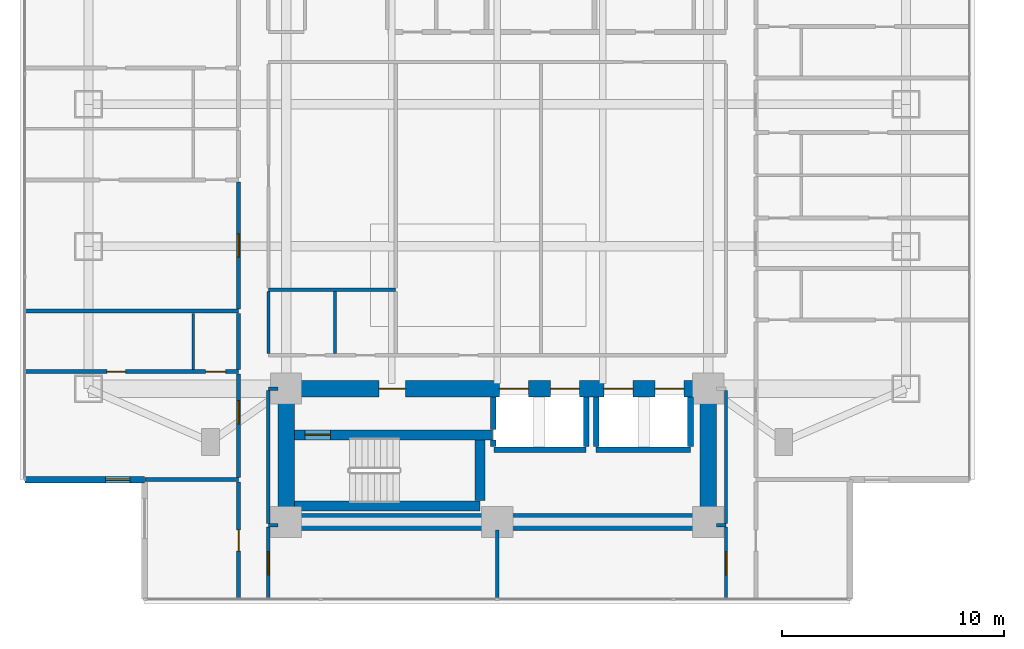
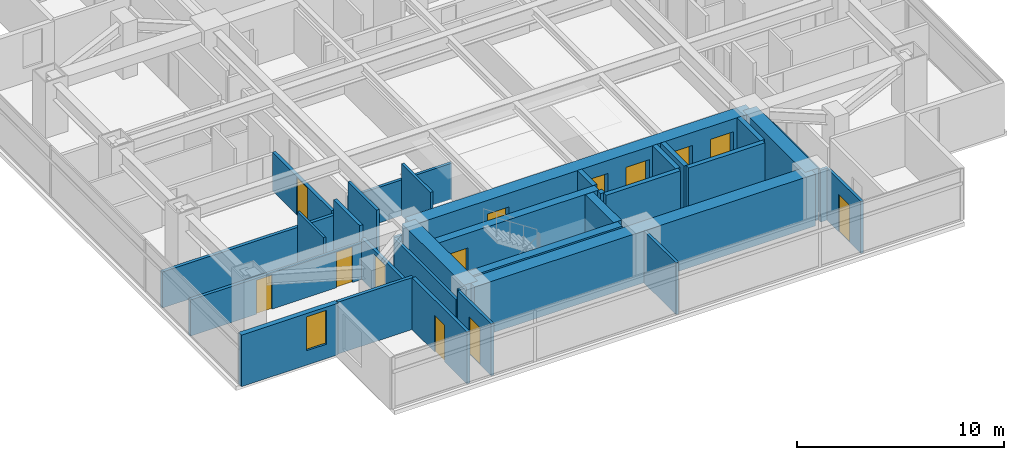
# One storey, part 12 of 26: 34 walls, 13 doors, 1 window, 14 openings.
"""IFC4 building model written with IfcOpenShell, lengths in metres."""

import ifcopenshell
import ifcopenshell.guid

model = None  # the IFC model being written
_history = None  # IfcOwnerHistory: only IFC2X3 demands one
_inside = {}  # id of a spatial element -> (the spatial element, [elements in it])
_under = {}  # id of a project, library or spatial element -> (it, [spatial elements below it])
_declared = {}  # id of a project -> (the project, [libraries it declares])
_typed = {}  # id of a type object -> (the type object, [elements of that type])
_made_of = {}  # id of a material, layer set ... -> (it, [elements and type objects made of it])


def new_model(schema):
    """Start an empty IFC model of exactly this schema.

    Asked for "IFC4X3", IfcOpenShell would pick the latest addendum, in which some entities
    have other attributes; the version numbers below select the first issue.
    IFC2X3 requires an IfcOwnerHistory on every rooted entity: one is made here for all.
    """
    global model, _history
    if schema == "IFC4X3":
        model = ifcopenshell.file(schema_version=(4, 3, 0, 0))
    else:
        model = ifcopenshell.file(schema=schema)
    _inside.clear()
    _under.clear()
    _declared.clear()
    _typed.clear()
    _made_of.clear()
    _history = None
    if model.schema == "IFC2X3":
        org = make("IfcOrganization", Name="unknown")
        user = make(
            "IfcPersonAndOrganization",
            ThePerson=make("IfcPerson", FamilyName="unknown"),
            TheOrganization=org,
        )
        app = make(
            "IfcApplication",
            ApplicationDeveloper=org,
            Version="unknown",
            ApplicationFullName="unknown",
            ApplicationIdentifier="unknown",
        )
        _history = make(
            "IfcOwnerHistory",
            OwningUser=user,
            OwningApplication=app,
            ChangeAction="ADDED",
            CreationDate=0,
        )
    return model


def make(cls, **values):
    """One entity of the class cls with the attributes given. An attribute that is None is left unset."""
    return model.create_entity(
        cls, **{name: value for name, value in values.items() if value is not None}
    )


def rooted(cls, **values):
    """An entity with a GlobalId (a new one), such as an element, a storey or a relation."""
    return make(cls, GlobalId=ifcopenshell.guid.new(), OwnerHistory=_history, **values)


def si_unit(unit_type, name, prefix=None):
    """IfcSIUnit, for example si_unit("LENGTHUNIT", "METRE", prefix="MILLI")."""
    return make("IfcSIUnit", UnitType=unit_type, Prefix=prefix, Name=name)


def assignment(units):
    """IfcUnitAssignment: the units of a project."""
    return None if units is None else make("IfcUnitAssignment", Units=units)


def point(xyz):
    """IfcCartesianPoint."""
    return None if xyz is None else make("IfcCartesianPoint", Coordinates=xyz)


def direction(xyz):
    """IfcDirection."""
    return None if xyz is None else make("IfcDirection", DirectionRatios=xyz)


def frame(location, z_axis=None, x_axis=None):
    """IfcAxis2Placement3D, a coordinate frame: its origin and axes. An axis left out is left unset."""
    return make(
        "IfcAxis2Placement3D",
        Location=point(location),
        Axis=direction(z_axis),
        RefDirection=direction(x_axis),
    )


def frame_2d(location, x_axis=None):
    """IfcAxis2Placement2D, a coordinate frame in the plane: its origin and x axis."""
    return make(
        "IfcAxis2Placement2D", Location=point(location), RefDirection=direction(x_axis)
    )


def origin():
    """The frame at (0, 0, 0) with its axes left unset."""
    return frame((0.0, 0.0, 0.0))


def place(relative_to, where):
    """IfcLocalPlacement: puts the frame where relative to a parent placement (None: the world)."""
    return make(
        "IfcLocalPlacement", PlacementRelTo=relative_to, RelativePlacement=where
    )


def context(
    kind, dimensions, precision=None, world=None, true_north=None, identifier=None
):
    """IfcGeometricRepresentationContext, for example the 3D "Model" context."""
    return make(
        "IfcGeometricRepresentationContext",
        ContextIdentifier=identifier,
        ContextType=kind,
        CoordinateSpaceDimension=dimensions,
        Precision=precision,
        WorldCoordinateSystem=world,
        TrueNorth=true_north,
    )


def subcontext(parent, identifier, kind, view, scale=None):
    """IfcGeometricRepresentationSubContext, for example "Body" below "Model"."""
    return make(
        "IfcGeometricRepresentationSubContext",
        ContextIdentifier=identifier,
        ContextType=kind,
        ParentContext=parent,
        TargetScale=scale,
        TargetView=view,
    )


def project(units=None, contexts=None):
    """IfcProject with its units and contexts."""
    return rooted(
        "IfcProject",
        Name="project",
        RepresentationContexts=contexts,
        UnitsInContext=assignment(units),
    )


def spatial(cls, under=None, at=None, **own):
    """A site, building, storey or space (cls), placed at a placement, below another one or the project."""
    s = rooted(cls, ObjectPlacement=at, **own)
    if under is not None:
        _under.setdefault(under.id(), (under, []))[1].append(s)
    return s


def profile(cls, at=None, kind="AREA", **sizes):
    """A parametric profile (cls). Its sizes go by their IFC names, for example OverallWidth=200.0."""
    return make(cls, ProfileType=kind, Position=at, **sizes)


def rectangle(**sizes):
    """IfcRectangleProfileDef."""
    return profile("IfcRectangleProfileDef", **sizes)


def extrude(swept, where, along, depth):
    """IfcExtrudedAreaSolid: the profile swept, set in the frame where, extruded along a direction by depth."""
    return make(
        "IfcExtrudedAreaSolid",
        SweptArea=swept,
        Position=where,
        ExtrudedDirection=direction(along),
        Depth=depth,
    )


def shape(context_of_items, identifier, shape_type, items):
    """IfcShapeRepresentation: the items that make up one representation, for example the "Body"."""
    return make(
        "IfcShapeRepresentation",
        ContextOfItems=context_of_items,
        RepresentationIdentifier=identifier,
        RepresentationType=shape_type,
        Items=items,
    )


def material(Name=None, Category=None):
    """IfcMaterial."""
    return make("IfcMaterial", Name=Name, Category=Category)


def layer(
    of_material, thickness, ventilated=None, Name=None, Category=None, Priority=None
):
    """IfcMaterialLayer: one layer of a wall or slab, of a material (None: an air gap)."""
    return make(
        "IfcMaterialLayer",
        Material=of_material,
        LayerThickness=thickness,
        IsVentilated=ventilated,
        Name=Name,
        Category=Category,
        Priority=Priority,
    )


def layer_set(layers, Name=None):
    """IfcMaterialLayerSet."""
    return make("IfcMaterialLayerSet", MaterialLayers=layers, LayerSetName=Name)


def made_of(thing, what):
    """Note that an element or type object is made of a material, layer set ...; save() writes the relation."""
    if what is not None:
        _made_of.setdefault(what.id(), (what, []))[1].append(thing)
    return thing


def type_object(cls, material=None, **own):
    """A type object (cls), such as IfcWallType, which elements share."""
    return made_of(rooted(cls, **own), material)


def element(
    cls,
    number,
    at=None,
    inside=None,
    cuts=None,
    type_object=None,
    material=None,
    context=None,
    identifier="Body",
    shape_type=None,
    held_by="IfcProductDefinitionShape",
    body=None,
    shapes=None,
    **own,
):
    """One element of the class cls, such as IfcWall. Its Tag is "e" and its number.

    at: its placement. inside: the storey or other place that contains it. cuts: it is an
    opening in that element (IfcRelVoidsElement). A single representation is given by context,
    identifier, shape_type and body (its items); several are given by shapes. held_by: the class
    of the entity that holds the representations. save() writes the other relations.
    """
    e = rooted(cls, Tag="e%d" % number, ObjectPlacement=at, **own)
    if body is not None:
        shapes = [shape(context, identifier, shape_type, body)]
    if shapes is not None:
        e.Representation = make(held_by, Representations=shapes)
    if inside is not None:
        _inside.setdefault(inside.id(), (inside, []))[1].append(e)
    if cuts is not None:
        rooted(
            "IfcRelVoidsElement", RelatingBuildingElement=cuts, RelatedOpeningElement=e
        )
    if type_object is not None:
        _typed.setdefault(type_object.id(), (type_object, []))[1].append(e)
    return made_of(e, material)


def fill(opening, filler):
    """IfcRelFillsElement: the door or window that sits in an opening."""
    return rooted(
        "IfcRelFillsElement",
        RelatingOpeningElement=opening,
        RelatedBuildingElement=filler,
    )


def aggregate(whole, parts):
    """IfcRelAggregates: a whole, such as a stair, and the parts it consists of."""
    return rooted("IfcRelAggregates", RelatingObject=whole, RelatedObjects=parts)


def save(model, path):
    """Write the relations noted so far, then the file.

    IfcRelAggregates (storeys below a building ...), IfcRelContainedInSpatialStructure (elements
    in a storey), IfcRelDefinesByType, IfcRelAssociatesMaterial and IfcRelDeclares: one each for
    every whole, place, type object, material and project.
    """
    for whole, parts in _under.values():
        aggregate(whole, parts)
    for where, things in _inside.values():
        rooted(
            "IfcRelContainedInSpatialStructure",
            RelatedElements=things,
            RelatingStructure=where,
        )
    for kind, things in _typed.values():
        rooted("IfcRelDefinesByType", RelatedObjects=things, RelatingType=kind)
    for what, things in _made_of.values():
        rooted("IfcRelAssociatesMaterial", RelatedObjects=things, RelatingMaterial=what)
    for by, libraries in _declared.values():
        rooted("IfcRelDeclares", RelatingContext=by, RelatedDefinitions=libraries)
    model.write(path)


model = new_model("IFC4")

# Units and contexts
model_context = context("Model", 3, precision=1e-05, world=origin(), true_north=direction((0.0, 1.0)))
body_context = subcontext(model_context, "Body", "Model", "MODEL_VIEW")
ifc_project = project(units=[si_unit("LENGTHUNIT", "METRE"), si_unit("AREAUNIT", "SQUARE_METRE"), si_unit("VOLUMEUNIT", "CUBIC_METRE"), si_unit("PLANEANGLEUNIT", "RADIAN"), si_unit("MASSUNIT", "GRAM", prefix="KILO")], contexts=[model_context])

# Site, building, storey
site_placement = place(None, origin())
site = spatial("IfcSite", under=ifc_project, at=site_placement, CompositionType="ELEMENT")
building_placement = place(site_placement, origin())
building = spatial("IfcBuilding", under=site, at=building_placement, Name="Mirazonda Arch Towers", CompositionType="ELEMENT")
storey_placement = place(building_placement, frame((0.0, 0.0, 25.699951171875)))
storey = spatial("IfcBuildingStorey", under=building, at=storey_placement, Name="L06", CompositionType="ELEMENT", Elevation=25.699951171875)

# Wall
ifc_material_1 = material(Name="Concrete C50/60", Category="concrete")
ifc_layer_1 = layer(ifc_material_1, 0.449951171875, Name="WALL-CORE-450")
ifc_layer_set_1 = layer_set([ifc_layer_1], Name="Concrete C50/60")
wall_type_1 = type_object("IfcWallType", Name="WALL-CORE-450", PredefinedType="SHEAR", material=ifc_layer_set_1)
wall_1_placement = place(storey_placement, frame((11.3701171875, 13.1201171875, 0.0), z_axis=(0.0, 0.0, 1.0), x_axis=(1.0, 0.0, 0.0)))
element("IfcWall", 1, at=wall_1_placement, inside=storey, type_object=wall_type_1, Name="L06 Stair Core Shear Wall 003", PredefinedType="SHEAR", context=body_context, shape_type="SweptSolid", body=[
    extrude(rectangle(XDim=8.35986328125, YDim=0.449951171875, at=frame_2d((4.179931640625, 0.0))), origin(), (0.0, 0.0, 1.0), 3.06005859375),
])

# Wall, opening, door
wall_2_placement = place(storey_placement, frame((11.3701171875, 16.320068359375, 0.0), z_axis=(0.0, 0.0, 1.0), x_axis=(1.0, 0.0, 0.0)))
wall_2 = element("IfcWall", 2, at=wall_2_placement, inside=storey, type_object=wall_type_1, Name="L06 Stair Core Shear Wall 008", PredefinedType="SHEAR", context=body_context, shape_type="SweptSolid", body=[
    extrude(rectangle(XDim=8.909912109375, YDim=0.449951171875, at=frame_2d((4.455078125, 0.0))), origin(), (0.0, 0.0, 1.0), 3.06005859375),
])
opening_1_placement = place(wall_2_placement, frame((0.469970703125, 0.0, 0.0)))
opening_1 = element("IfcOpeningElement", 3, at=opening_1_placement, cuts=wall_2, Name="Opening DR-135", PredefinedType="OPENING", context=body_context, shape_type="SweptSolid", body=[
    extrude(rectangle(XDim=1.14990234375, YDim=2.199951171875, at=frame_2d((0.574951171875, 1.10009765625))), frame((0.0, 0.23486328125, 0.0), z_axis=(0.0, -1.0, 0.0), x_axis=(1.0, 0.0, 0.0)), (0.0, 0.0, 1.0), 0.469970703125),
])
ifc_material_2 = material(Name="Architectural Brushed Steel S355", Category="steel")
door_type_1 = type_object("IfcDoorType", Name="DOOR-STAIR-FD90-1150", OperationType="NOTDEFINED", PredefinedType="DOOR", material=ifc_material_2)
door_1_placement = place(opening_1_placement, origin())
door_1 = element("IfcDoor", 4, at=door_1_placement, inside=storey, type_object=door_type_1, Name="L06 Protected Exit Stair South Door", OperationType="SINGLE_SWING_LEFT", OverallHeight=2.199951171875, OverallWidth=1.14990234375, PredefinedType="DOOR", context=body_context, shape_type="SweptSolid", body=[
    extrude(rectangle(XDim=1.14990234375, YDim=2.199951171875, at=frame_2d((0.574951171875, 1.10009765625))), frame((0.0, 0.02490234375, 0.0), z_axis=(0.0, -1.0, 0.0), x_axis=(1.0, 0.0, 0.0)), (0.0, 0.0, 1.0), 0.050048828125),
])
fill(opening_1, door_1)

# Walls
wall_3_placement = place(storey_placement, frame((19.72998046875, 13.35498046875, 0.0), z_axis=(0.0, 0.0, 1.0), x_axis=(0.0, 1.0, 0.0)))
element("IfcWall", 5, at=wall_3_placement, inside=storey, type_object=wall_type_1, Name="L06 Stair Core Shear Wall 086", PredefinedType="SHEAR", context=body_context, shape_type="SweptSolid", body=[
    extrude(rectangle(XDim=2.72998046875, YDim=0.449951171875, at=frame_2d((1.364990234375, 0.0))), origin(), (0.0, 0.0, 1.0), 3.06005859375),
])
ifc_material_3 = material(Name="Concrete C60/75", Category="concrete")
ifc_layer_2 = layer(ifc_material_3, 0.75, Name="WALL-CORE-750")
ifc_layer_set_2 = layer_set([ifc_layer_2], Name="Concrete C60/75")
wall_type_2 = type_object("IfcWallType", Name="WALL-CORE-750", PredefinedType="SHEAR", material=ifc_layer_set_2)
wall_4_placement = place(storey_placement, frame((11.0, 12.39990234375, 0.0), z_axis=(0.0, 0.0, 1.0), x_axis=(1.0, 0.0, 0.0)))
element("IfcWall", 6, at=wall_4_placement, inside=storey, type_object=wall_type_2, Name="L06 T1S-S Core Shear Wall", PredefinedType="SHEAR", context=body_context, shape_type="SweptSolid", body=[
    extrude(rectangle(XDim=19.0, YDim=0.75, at=frame_2d((9.5, 0.0))), origin(), (0.0, 0.0, 1.0), 3.06005859375),
])
for number, where, z_axis, x_axis, name in (
    (7, (11.0, 12.39990234375, 0.0), (0.0, 0.0, 1.0), (0.0, 1.0, 0.0), "L06 T1S-W Core Shear Wall"),
    (8, (30.0, 12.39990234375, 0.0), (0.0, 0.0, 1.0), (0.0, 1.0, 0.0), "L06 T1S-E Core Shear Wall"),
):
    element("IfcWall", number, at=place(storey_placement, frame(where, z_axis=z_axis, x_axis=x_axis)), inside=storey, type_object=wall_type_2, Name=name, PredefinedType="SHEAR", context=body_context, shape_type="SweptSolid", body=[
        extrude(rectangle(XDim=6.0, YDim=0.75, at=frame_2d((3.0, 0.0))), origin(), (0.0, 0.0, 1.0), 3.06005859375),
    ])

# Wall, openings, doors
wall_5_placement = place(storey_placement, frame((11.0, 18.39990234375, 0.0), z_axis=(0.0, 0.0, 1.0), x_axis=(1.0, 0.0, 0.0)))
wall_5 = element("IfcWall", 9, at=wall_5_placement, inside=storey, type_object=wall_type_2, Name="L06 T1S-N Core Shear Wall", PredefinedType="SHEAR", context=body_context, shape_type="SweptSolid", body=[
    extrude(rectangle(XDim=19.0, YDim=0.75, at=frame_2d((9.5, 0.0))), origin(), (0.0, 0.0, 1.0), 3.06005859375),
])
opening_2_placement = place(wall_5_placement, frame((4.175048828125, 0.0, 0.0)))
opening_2 = element("IfcOpeningElement", 10, at=opening_2_placement, cuts=wall_5, Name="Opening DR-117", PredefinedType="OPENING", context=body_context, shape_type="SweptSolid", body=[
    extrude(rectangle(XDim=1.199951171875, YDim=2.25, at=frame_2d((0.60009765625, 1.125))), frame((0.0, 0.385009765625, 0.0), z_axis=(0.0, -1.0, 0.0), x_axis=(1.0, 0.0, 0.0)), (0.0, 0.0, 1.0), 0.77001953125),
])
opening_3_placement = place(wall_5_placement, frame((9.60009765625, 0.0, 0.0)))
opening_3 = element("IfcOpeningElement", 11, at=opening_3_placement, cuts=wall_5, Name="Opening LD-111", PredefinedType="OPENING", context=body_context, shape_type="SweptSolid", body=[
    extrude(rectangle(XDim=1.300048828125, YDim=2.300048828125, at=frame_2d((0.64990234375, 1.14990234375))), frame((0.0, 0.385009765625, 0.0), z_axis=(0.0, -1.0, 0.0), x_axis=(1.0, 0.0, 0.0)), (0.0, 0.0, 1.0), 0.77001953125),
])
opening_4_placement = place(wall_5_placement, frame((11.89990234375, 0.0, 0.0)))
opening_4 = element("IfcOpeningElement", 12, at=opening_4_placement, cuts=wall_5, Name="Opening LD-111", PredefinedType="OPENING", context=body_context, shape_type="SweptSolid", body=[
    extrude(rectangle(XDim=1.300048828125, YDim=2.300048828125, at=frame_2d((0.64990234375, 1.14990234375))), frame((0.0, 0.385009765625, 0.0), z_axis=(0.0, -1.0, 0.0), x_axis=(1.0, 0.0, 0.0)), (0.0, 0.0, 1.0), 0.77001953125),
])
opening_5_placement = place(wall_5_placement, frame((14.300048828125, 0.0, 0.0)))
opening_5 = element("IfcOpeningElement", 13, at=opening_5_placement, cuts=wall_5, Name="Opening LD-111", PredefinedType="OPENING", context=body_context, shape_type="SweptSolid", body=[
    extrude(rectangle(XDim=1.300048828125, YDim=2.300048828125, at=frame_2d((0.64990234375, 1.14990234375))), frame((0.0, 0.385009765625, 0.0), z_axis=(0.0, -1.0, 0.0), x_axis=(1.0, 0.0, 0.0)), (0.0, 0.0, 1.0), 0.77001953125),
])
opening_6_placement = place(wall_5_placement, frame((16.60009765625, 0.0, 0.0)))
opening_6 = element("IfcOpeningElement", 14, at=opening_6_placement, cuts=wall_5, Name="Opening LD-111", PredefinedType="OPENING", context=body_context, shape_type="SweptSolid", body=[
    extrude(rectangle(XDim=1.300048828125, YDim=2.300048828125, at=frame_2d((0.64990234375, 1.14990234375))), frame((0.0, 0.385009765625, 0.0), z_axis=(0.0, -1.0, 0.0), x_axis=(1.0, 0.0, 0.0)), (0.0, 0.0, 1.0), 0.77001953125),
])
door_type_2 = type_object("IfcDoorType", Name="DOOR-FFL-FD90-1200", OperationType="NOTDEFINED", PredefinedType="DOOR", material=ifc_material_2)
door_2_placement = place(opening_2_placement, origin())
door_2 = element("IfcDoor", 15, at=door_2_placement, inside=storey, type_object=door_type_2, Name="L06 South Core Stair & Lift Lobby Door", OperationType="SINGLE_SWING_RIGHT", OverallHeight=2.25, OverallWidth=1.199951171875, PredefinedType="DOOR", context=body_context, shape_type="SweptSolid", body=[
    extrude(rectangle(XDim=1.199951171875, YDim=2.25, at=frame_2d((0.60009765625, 1.125))), frame((0.0, 0.02490234375, 0.0), z_axis=(0.0, -1.0, 0.0), x_axis=(1.0, 0.0, 0.0)), (0.0, 0.0, 1.0), 0.050048828125),
])
fill(opening_2, door_2)
door_type_3 = type_object("IfcDoorType", Name="DOOR-LIFT-LAND-1300", OperationType="NOTDEFINED", PredefinedType="DOOR", material=ifc_material_2)
door_3_placement = place(opening_3_placement, origin())
door_3 = element("IfcDoor", 16, at=door_3_placement, inside=storey, type_object=door_type_3, Name="L06 Lift Landing Sliding Door PL-T1M1", OperationType="DOUBLE_DOOR_SLIDING", OverallHeight=2.300048828125, OverallWidth=1.300048828125, PredefinedType="DOOR", context=body_context, shape_type="SweptSolid", body=[
    extrude(rectangle(XDim=1.300048828125, YDim=2.300048828125, at=frame_2d((0.64990234375, 1.14990234375))), frame((0.0, 0.02490234375, 0.0), z_axis=(0.0, -1.0, 0.0), x_axis=(1.0, 0.0, 0.0)), (0.0, 0.0, 1.0), 0.050048828125),
])
fill(opening_3, door_3)
door_4_placement = place(opening_4_placement, origin())
door_4 = element("IfcDoor", 17, at=door_4_placement, inside=storey, type_object=door_type_3, Name="L06 Lift Landing Sliding Door PL-T1M2", OperationType="DOUBLE_DOOR_SLIDING", OverallHeight=2.300048828125, OverallWidth=1.300048828125, PredefinedType="DOOR", context=body_context, shape_type="SweptSolid", body=[
    extrude(rectangle(XDim=1.300048828125, YDim=2.300048828125, at=frame_2d((0.64990234375, 1.14990234375))), frame((0.0, 0.02490234375, 0.0), z_axis=(0.0, -1.0, 0.0), x_axis=(1.0, 0.0, 0.0)), (0.0, 0.0, 1.0), 0.050048828125),
])
fill(opening_4, door_4)
door_5_placement = place(opening_5_placement, origin())
door_5 = element("IfcDoor", 18, at=door_5_placement, inside=storey, type_object=door_type_3, Name="L06 Lift Landing Sliding Door PL-T1H1", OperationType="DOUBLE_DOOR_SLIDING", OverallHeight=2.300048828125, OverallWidth=1.300048828125, PredefinedType="DOOR", context=body_context, shape_type="SweptSolid", body=[
    extrude(rectangle(XDim=1.300048828125, YDim=2.300048828125, at=frame_2d((0.64990234375, 1.14990234375))), frame((0.0, 0.02490234375, 0.0), z_axis=(0.0, -1.0, 0.0), x_axis=(1.0, 0.0, 0.0)), (0.0, 0.0, 1.0), 0.050048828125),
])
fill(opening_5, door_5)
door_6_placement = place(opening_6_placement, origin())
door_6 = element("IfcDoor", 19, at=door_6_placement, inside=storey, type_object=door_type_3, Name="L06 Lift Landing Sliding Door PL-T1H2", OperationType="DOUBLE_DOOR_SLIDING", OverallHeight=2.300048828125, OverallWidth=1.300048828125, PredefinedType="DOOR", context=body_context, shape_type="SweptSolid", body=[
    extrude(rectangle(XDim=1.300048828125, YDim=2.300048828125, at=frame_2d((0.64990234375, 1.14990234375))), frame((0.0, 0.02490234375, 0.0), z_axis=(0.0, -1.0, 0.0), x_axis=(1.0, 0.0, 0.0)), (0.0, 0.0, 1.0), 0.050048828125),
])
fill(opening_6, door_6)

# Wall, opening, window
ifc_material_4 = material(Name="Precast Concrete C40/50", Category="concrete")
ifc_layer_3 = layer(ifc_material_4, 0.280029296875, Name="WALL-EXT-WALL-280")
ifc_layer_set_3 = layer_set([ifc_layer_3], Name="Precast Concrete C40/50")
wall_type_3 = type_object("IfcWallType", Name="WALL-EXT-WALL-280", PredefinedType="SOLIDWALL", material=ifc_layer_set_3)
wall_6_placement = place(storey_placement, frame((-0.760009765625, 14.302001953125, 0.0), z_axis=(0.0, 0.0, 1.0), x_axis=(1.0, 0.0, 0.0)))
wall_6 = element("IfcWall", 20, at=wall_6_placement, inside=storey, type_object=wall_type_3, Name="L06 T1 Corner Notch Return Wall WL-L06-T1-CSW2", PredefinedType="SOLIDWALL", context=body_context, shape_type="SweptSolid", body=[
    extrude(rectangle(XDim=5.380126953125, YDim=0.280029296875, at=frame_2d((2.68994140625, 0.0))), origin(), (0.0, 0.0, 1.0), 3.0400390625),
])
opening_7_placement = place(wall_6_placement, frame((3.6298828125, 0.0, 0.85009765625)))
opening_7 = element("IfcOpeningElement", 21, at=opening_7_placement, cuts=wall_6, Name="Opening WN-108", PredefinedType="OPENING", context=body_context, shape_type="SweptSolid", body=[
    extrude(rectangle(XDim=1.10009765625, YDim=2.0, at=frame_2d((0.550048828125, 1.0))), frame((0.0, 0.14990234375, 0.0), z_axis=(0.0, -1.0, 0.0), x_axis=(1.0, 0.0, 0.0)), (0.0, 0.0, 1.0), 0.300048828125),
])
ifc_material_5 = material(Name="Insulated Low-E Solar Glass", Category="glass")
window_type = type_object("IfcWindowType", Name="WIN-NOTCH-1100x2000", PartitioningType="SINGLE_PANEL", PredefinedType="WINDOW", material=ifc_material_5)
window_placement = place(opening_7_placement, origin())
window = element("IfcWindow", 22, at=window_placement, inside=storey, type_object=window_type, Name="L06 Punched Facade Window WN-L06-T1-CSW2", OverallHeight=2.0, OverallWidth=1.10009765625, PartitioningType="SINGLE_PANEL", PredefinedType="WINDOW", context=body_context, shape_type="SweptSolid", body=[
    extrude(rectangle(XDim=1.10009765625, YDim=2.0, at=frame_2d((0.550048828125, 1.0))), frame((0.0, 0.030029296875, 0.0), z_axis=(0.0, -1.0, 0.0), x_axis=(1.0, 0.0, 0.0)), (0.0, 0.0, 1.0), 0.06005859375),
])
fill(opening_7, window)

# Walls
ifc_material_6 = material(Name="Fire-Rated Gypsum Stud Partition")
ifc_layer_4 = layer(ifc_material_6, 0.14990234375, Name="WALL-PART-CORR-150")
ifc_layer_set_4 = layer_set([ifc_layer_4], Name="Fire-Rated Gypsum Stud Partition")
wall_type_4 = type_object("IfcWallType", Name="WALL-PART-CORR-150", PredefinedType="PARTITIONING", material=ifc_layer_set_4)
for number, where, z_axis, x_axis, name in (
    (23, (10.199951171875, 12.25, 0.0), (0.0, 0.0, 1.0), (1.0, 0.0, 0.0), "L06 Interior Partition 001"),
    (24, (30.3701171875, 12.25, 0.0), (0.0, 0.0, 1.0), (1.0, 0.0, 0.0), "L06 Interior Partition 002"),
):
    element("IfcWall", number, at=place(storey_placement, frame(where, z_axis=z_axis, x_axis=x_axis)), inside=storey, type_object=wall_type_4, Name=name, PredefinedType="PARTITIONING", context=body_context, shape_type="SweptSolid", body=[
        extrude(rectangle(XDim=0.429931640625, YDim=0.14990234375, at=frame_2d((0.21484375, 0.0))), origin(), (0.0, 0.0, 1.0), 3.06005859375),
    ])
wall_7_placement = place(storey_placement, frame((10.199951171875, 18.39990234375, 0.0), z_axis=(0.0, 0.0, 1.0), x_axis=(1.0, 0.0, 0.0)))
element("IfcWall", 25, at=wall_7_placement, inside=storey, type_object=wall_type_4, Name="L06 Interior Partition 012", PredefinedType="PARTITIONING", context=body_context, shape_type="SweptSolid", body=[
    extrude(rectangle(XDim=0.429931640625, YDim=0.14990234375, at=frame_2d((0.21484375, 0.0))), origin(), (0.0, 0.0, 1.0), 2.43603515625),
])
wall_8_placement = place(storey_placement, frame((10.199951171875, 22.85009765625, 0.0), z_axis=(0.0, 0.0, 1.0), x_axis=(1.0, 0.0, 0.0)))
element("IfcWall", 26, at=wall_8_placement, inside=storey, type_object=wall_type_4, Name="L06 Interior Partition 024", PredefinedType="PARTITIONING", context=body_context, shape_type="SweptSolid", body=[
    extrude(rectangle(XDim=5.72998046875, YDim=0.14990234375, at=frame_2d((2.864990234375, 0.0))), origin(), (0.0, 0.0, 1.0), 2.10400390625),
])

# Wall, opening, door
wall_9_placement = place(storey_placement, frame((10.199951171875, 8.922119140625, 0.0), z_axis=(0.0, 0.0, 1.0), x_axis=(0.0, 1.0, 0.0)))
wall_9 = element("IfcWall", 27, at=wall_9_placement, inside=storey, type_object=wall_type_4, Name="L06 Interior Partition 074", PredefinedType="PARTITIONING", context=body_context, shape_type="SweptSolid", body=[
    extrude(rectangle(XDim=3.242919921875, YDim=0.14990234375, at=frame_2d((1.62158203125, 0.0))), origin(), (0.0, 0.0, 1.0), 3.06005859375),
])
opening_8_placement = place(wall_9_placement, frame((1.096435546875, 0.0, 0.0)))
opening_8 = element("IfcOpeningElement", 28, at=opening_8_placement, cuts=wall_9, Name="Opening DR-121", PredefinedType="OPENING", context=body_context, shape_type="SweptSolid", body=[
    extrude(rectangle(XDim=1.050048828125, YDim=2.199951171875, at=frame_2d((0.52490234375, 1.10009765625))), frame((0.0, 0.0849609375, 0.0), z_axis=(0.0, -1.0, 0.0), x_axis=(1.0, 0.0, 0.0)), (0.0, 0.0, 1.0), 0.169921875),
])
door_type_4 = type_object("IfcDoorType", Name="DOOR-SUITE-FD60-1050", OperationType="NOTDEFINED", PredefinedType="DOOR", material=ifc_material_2)
door_7_placement = place(opening_8_placement, origin())
door_7 = element("IfcDoor", 29, at=door_7_placement, inside=storey, type_object=door_type_4, Name="L06 South Horizon Lounge West Door", OperationType="SINGLE_SWING_RIGHT", OverallHeight=2.199951171875, OverallWidth=1.050048828125, PredefinedType="DOOR", context=body_context, shape_type="SweptSolid", body=[
    extrude(rectangle(XDim=1.050048828125, YDim=2.199951171875, at=frame_2d((0.52490234375, 1.10009765625))), frame((0.0, 0.02490234375, 0.0), z_axis=(0.0, -1.0, 0.0), x_axis=(1.0, 0.0, 0.0)), (0.0, 0.0, 1.0), 0.050048828125),
])
fill(opening_8, door_7)

# Walls
wall_10_placement = place(storey_placement, frame((10.199951171875, 12.3349609375, 0.0), z_axis=(0.0, 0.0, 1.0), x_axis=(0.0, 1.0, 0.0)))
element("IfcWall", 30, at=wall_10_placement, inside=storey, type_object=wall_type_4, Name="L06 Interior Partition 075", PredefinedType="PARTITIONING", context=body_context, shape_type="SweptSolid", body=[
    extrude(rectangle(XDim=5.97998046875, YDim=0.14990234375, at=frame_2d((2.989990234375, 0.0))), origin(), (0.0, 0.0, 1.0), 2.43603515625),
])
for number, where, z_axis, x_axis, name in (
    (31, (10.206787109375, 19.985107421875, 0.0), (0.0, 0.0, 1.0), (0.0, 1.0, 0.0), "L06 Interior Partition 076"),
    (32, (13.199951171875, 19.985107421875, 0.0), (0.0, 0.0, 1.0), (0.0, 1.0, 0.0), "L06 Interior Partition 081"),
):
    element("IfcWall", number, at=place(storey_placement, frame(where, z_axis=z_axis, x_axis=x_axis)), inside=storey, type_object=wall_type_4, Name=name, PredefinedType="PARTITIONING", context=body_context, shape_type="SweptSolid", body=[
        extrude(rectangle(XDim=2.77978515625, YDim=0.14990234375, at=frame_2d((1.389892578125, 0.0))), origin(), (0.0, 0.0, 1.0), 3.06005859375),
    ])
wall_11_placement = place(storey_placement, frame((20.5, 8.922119140625, 0.0), z_axis=(0.0, 0.0, 1.0), x_axis=(0.0, 1.0, 0.0)))
element("IfcWall", 33, at=wall_11_placement, inside=storey, type_object=wall_type_4, Name="L06 Interior Partition 090", PredefinedType="PARTITIONING", context=body_context, shape_type="SweptSolid", body=[
    extrude(rectangle(XDim=3.10791015625, YDim=0.14990234375, at=frame_2d((1.553955078125, 0.0))), origin(), (0.0, 0.0, 1.0), 3.06005859375),
])

# Wall, opening, door
wall_12_placement = place(storey_placement, frame((30.800048828125, 8.922119140625, 0.0), z_axis=(0.0, 0.0, 1.0), x_axis=(0.0, 1.0, 0.0)))
wall_12 = element("IfcWall", 34, at=wall_12_placement, inside=storey, type_object=wall_type_4, Name="L06 Interior Partition 101", PredefinedType="PARTITIONING", context=body_context, shape_type="SweptSolid", body=[
    extrude(rectangle(XDim=3.242919921875, YDim=0.14990234375, at=frame_2d((1.62158203125, 0.0))), origin(), (0.0, 0.0, 1.0), 3.06005859375),
])
opening_9_placement = place(wall_12_placement, frame((1.096435546875, 0.0, 0.0)))
opening_9 = element("IfcOpeningElement", 35, at=opening_9_placement, cuts=wall_12, Name="Opening DR-121", PredefinedType="OPENING", context=body_context, shape_type="SweptSolid", body=[
    extrude(rectangle(XDim=1.050048828125, YDim=2.199951171875, at=frame_2d((0.52490234375, 1.10009765625))), frame((0.0, 0.0849609375, 0.0), z_axis=(0.0, -1.0, 0.0), x_axis=(1.0, 0.0, 0.0)), (0.0, 0.0, 1.0), 0.169921875),
])
door_8_placement = place(opening_9_placement, origin())
door_8 = element("IfcDoor", 36, at=door_8_placement, inside=storey, type_object=door_type_4, Name="L06 South Horizon Lounge East Door", OperationType="SINGLE_SWING_LEFT", OverallHeight=2.199951171875, OverallWidth=1.050048828125, PredefinedType="DOOR", context=body_context, shape_type="SweptSolid", body=[
    extrude(rectangle(XDim=1.050048828125, YDim=2.199951171875, at=frame_2d((0.52490234375, 1.10009765625))), frame((0.0, 0.02490234375, 0.0), z_axis=(0.0, -1.0, 0.0), x_axis=(1.0, 0.0, 0.0)), (0.0, 0.0, 1.0), 0.050048828125),
])
fill(opening_9, door_8)

# Walls
wall_13_placement = place(storey_placement, frame((30.800048828125, 12.3349609375, 0.0), z_axis=(0.0, 0.0, 1.0), x_axis=(0.0, 1.0, 0.0)))
element("IfcWall", 37, at=wall_13_placement, inside=storey, type_object=wall_type_4, Name="L06 Interior Partition 102", PredefinedType="PARTITIONING", context=body_context, shape_type="SweptSolid", body=[
    extrude(rectangle(XDim=5.97998046875, YDim=0.14990234375, at=frame_2d((2.989990234375, 0.0))), origin(), (0.0, 0.0, 1.0), 2.43603515625),
])
ifc_material_7 = material(Name="Fire-Rated Gypsum Twin-Stud Assembly")
ifc_layer_5 = layer(ifc_material_7, 0.179931640625, Name="WALL-PART-DEMISE-180")
ifc_layer_set_5 = layer_set([ifc_layer_5], Name="Fire-Rated Gypsum Twin-Stud Assembly")
wall_type_5 = type_object("IfcWallType", Name="WALL-PART-DEMISE-180", PredefinedType="PARTITIONING", material=ifc_layer_set_5)
wall_14_placement = place(storey_placement, frame((4.639892578125, 14.302001953125, 0.0), z_axis=(0.0, 0.0, 1.0), x_axis=(1.0, 0.0, 0.0)))
element("IfcWall", 38, at=wall_14_placement, inside=storey, type_object=wall_type_5, Name="L06 Interior Partition 004", PredefinedType="PARTITIONING", context=body_context, shape_type="SweptSolid", body=[
    extrude(rectangle(XDim=4.22021484375, YDim=0.179931640625, at=frame_2d((2.110107421875, 0.0))), origin(), (0.0, 0.0, 1.0), 3.06005859375),
])

# Wall, openings, doors
wall_15_placement = place(storey_placement, frame((-0.760009765625, 19.1689453125, 0.0), z_axis=(0.0, 0.0, 1.0), x_axis=(1.0, 0.0, 0.0)))
wall_15 = element("IfcWall", 39, at=wall_15_placement, inside=storey, type_object=wall_type_5, Name="L06 Interior Partition 015", PredefinedType="PARTITIONING", context=body_context, shape_type="SweptSolid", body=[
    extrude(rectangle(XDim=9.6201171875, YDim=0.179931640625, at=frame_2d((4.81005859375, 0.0))), origin(), (0.0, 0.0, 1.0), 2.125),
])
opening_10_placement = place(wall_15_placement, frame((3.68505859375, 0.0, 0.0)))
opening_10 = element("IfcOpeningElement", 40, at=opening_10_placement, cuts=wall_15, Name="Opening DR-128", PredefinedType="OPENING", context=body_context, shape_type="SweptSolid", body=[
    extrude(rectangle(XDim=0.85009765625, YDim=2.010009765625, at=frame_2d((0.425048828125, 1.0048828125))), frame((0.0, 0.099853515625, 0.0), z_axis=(0.0, -1.0, 0.0), x_axis=(1.0, 0.0, 0.0)), (0.0, 0.0, 1.0), 0.199951171875),
])
opening_11_placement = place(wall_15_placement, frame((8.1298828125, 0.0, 0.0)))
opening_11 = element("IfcOpeningElement", 41, at=opening_11_placement, cuts=wall_15, Name="Opening DR-120", PredefinedType="OPENING", context=body_context, shape_type="SweptSolid", body=[
    extrude(rectangle(XDim=0.89990234375, YDim=2.10009765625, at=frame_2d((0.449951171875, 1.050048828125))), frame((0.0, 0.099853515625, 0.0), z_axis=(0.0, -1.0, 0.0), x_axis=(1.0, 0.0, 0.0)), (0.0, 0.0, 1.0), 0.199951171875),
])
door_type_5 = type_object("IfcDoorType", Name="DOOR-RISER-FD60-850", OperationType="NOTDEFINED", PredefinedType="DOOR", material=ifc_material_2)
door_9_placement = place(opening_10_placement, origin())
door_9 = element("IfcDoor", 42, at=door_9_placement, inside=storey, type_object=door_type_5, Name="L06 Guestroom Study 1 Door", OperationType="SINGLE_SWING_RIGHT", OverallHeight=2.010009765625, OverallWidth=0.85009765625, PredefinedType="DOOR", context=body_context, shape_type="SweptSolid", body=[
    extrude(rectangle(XDim=0.85009765625, YDim=2.010009765625, at=frame_2d((0.425048828125, 1.0048828125))), frame((0.0, 0.02490234375, 0.0), z_axis=(0.0, -1.0, 0.0), x_axis=(1.0, 0.0, 0.0)), (0.0, 0.0, 1.0), 0.050048828125),
])
fill(opening_10, door_9)
door_type_6 = type_object("IfcDoorType", Name="DOOR-WC-900", OperationType="NOTDEFINED", PredefinedType="DOOR", material=ifc_material_2)
door_10_placement = place(opening_11_placement, origin())
door_10 = element("IfcDoor", 43, at=door_10_placement, inside=storey, type_object=door_type_6, Name="L06 En-Suite Bathroom 1 Door", OperationType="SINGLE_SWING_LEFT", OverallHeight=2.10009765625, OverallWidth=0.89990234375, PredefinedType="DOOR", context=body_context, shape_type="SweptSolid", body=[
    extrude(rectangle(XDim=0.89990234375, YDim=2.10009765625, at=frame_2d((0.449951171875, 1.050048828125))), frame((0.0, 0.02490234375, 0.0), z_axis=(0.0, -1.0, 0.0), x_axis=(1.0, 0.0, 0.0)), (0.0, 0.0, 1.0), 0.050048828125),
])
fill(opening_11, door_10)

# Wall
wall_16_placement = place(storey_placement, frame((-0.760009765625, 21.888916015625, 0.0), z_axis=(0.0, 0.0, 1.0), x_axis=(1.0, 0.0, 0.0)))
element("IfcWall", 44, at=wall_16_placement, inside=storey, type_object=wall_type_5, Name="L06 Interior Partition 022", PredefinedType="PARTITIONING", context=body_context, shape_type="SweptSolid", body=[
    extrude(rectangle(XDim=9.6201171875, YDim=0.179931640625, at=frame_2d((4.81005859375, 0.0))), origin(), (0.0, 0.0, 1.0), 2.125),
])

# Wall, opening, door
wall_17_placement = place(storey_placement, frame((8.860107421875, 8.922119140625, 0.0), z_axis=(0.0, 0.0, 1.0), x_axis=(0.0, 1.0, 0.0)))
wall_17 = element("IfcWall", 45, at=wall_17_placement, inside=storey, type_object=wall_type_5, Name="L06 Interior Partition 066", PredefinedType="PARTITIONING", context=body_context, shape_type="SweptSolid", body=[
    extrude(rectangle(XDim=5.27978515625, YDim=0.179931640625, at=frame_2d((2.639892578125, 0.0))), origin(), (0.0, 0.0, 1.0), 3.06005859375),
])
opening_12_placement = place(wall_17_placement, frame((2.1650390625, 0.0, 0.0)))
opening_12 = element("IfcOpeningElement", 46, at=opening_12_placement, cuts=wall_17, Name="Opening DR-104", PredefinedType="OPENING", context=body_context, shape_type="SweptSolid", body=[
    extrude(rectangle(XDim=0.949951171875, YDim=2.14990234375, at=frame_2d((0.47509765625, 1.074951171875))), frame((0.0, 0.099853515625, 0.0), z_axis=(0.0, -1.0, 0.0), x_axis=(1.0, 0.0, 0.0)), (0.0, 0.0, 1.0), 0.199951171875),
])
door_type_7 = type_object("IfcDoorType", Name="DOOR-ROOM-950", OperationType="NOTDEFINED", PredefinedType="DOOR", material=ifc_material_2)
door_11_placement = place(opening_12_placement, origin())
door_11 = element("IfcDoor", 47, at=door_11_placement, inside=storey, type_object=door_type_7, Name="L06 South Horizon Lounge Alcove West Door", OperationType="SINGLE_SWING_RIGHT", OverallHeight=2.14990234375, OverallWidth=0.949951171875, PredefinedType="DOOR", context=body_context, shape_type="SweptSolid", body=[
    extrude(rectangle(XDim=0.949951171875, YDim=2.14990234375, at=frame_2d((0.47509765625, 1.074951171875))), frame((0.0, 0.02490234375, 0.0), z_axis=(0.0, -1.0, 0.0), x_axis=(1.0, 0.0, 0.0)), (0.0, 0.0, 1.0), 0.050048828125),
])
fill(opening_12, door_11)

wall_18_placement = place(storey_placement, frame((8.860107421875, 14.402099609375, 0.0), z_axis=(0.0, 0.0, 1.0), x_axis=(0.0, 1.0, 0.0)))
wall_18 = element("IfcWall", 48, at=wall_18_placement, inside=storey, type_object=wall_type_5, Name="L06 Interior Partition 067", PredefinedType="PARTITIONING", context=body_context, shape_type="SweptSolid", body=[
    extrude(rectangle(XDim=4.6669921875, YDim=0.179931640625, at=frame_2d((2.33349609375, 0.0))), origin(), (0.0, 0.0, 1.0), 2.43603515625),
])
opening_13_placement = place(wall_18_placement, frame((2.408447265625, 0.0, 0.0)))
opening_13 = element("IfcOpeningElement", 49, at=opening_13_placement, cuts=wall_18, Name="Opening DR-121", PredefinedType="OPENING", context=body_context, shape_type="SweptSolid", body=[
    extrude(rectangle(XDim=1.050048828125, YDim=2.199951171875, at=frame_2d((0.52490234375, 1.10009765625))), frame((0.0, 0.099853515625, 0.0), z_axis=(0.0, -1.0, 0.0), x_axis=(1.0, 0.0, 0.0)), (0.0, 0.0, 1.0), 0.199951171875),
])
door_12_placement = place(opening_13_placement, origin())
door_12 = element("IfcDoor", 50, at=door_12_placement, inside=storey, type_object=door_type_4, Name="L06 King Hotel Guestroom 1 Door", OperationType="SINGLE_SWING_LEFT", OverallHeight=2.199951171875, OverallWidth=1.050048828125, PredefinedType="DOOR", context=body_context, shape_type="SweptSolid", body=[
    extrude(rectangle(XDim=1.050048828125, YDim=2.199951171875, at=frame_2d((0.52490234375, 1.10009765625))), frame((0.0, 0.02490234375, 0.0), z_axis=(0.0, -1.0, 0.0), x_axis=(1.0, 0.0, 0.0)), (0.0, 0.0, 1.0), 0.050048828125),
])
fill(opening_13, door_12)

# Wall
wall_19_placement = place(storey_placement, frame((8.860107421875, 19.26904296875, 0.0), z_axis=(0.0, 0.0, 1.0), x_axis=(0.0, 1.0, 0.0)))
element("IfcWall", 51, at=wall_19_placement, inside=storey, type_object=wall_type_5, Name="L06 Interior Partition 068", PredefinedType="PARTITIONING", context=body_context, shape_type="SweptSolid", body=[
    extrude(rectangle(XDim=2.52001953125, YDim=0.179931640625, at=frame_2d((1.260009765625, 0.0))), origin(), (0.0, 0.0, 1.0), 3.06005859375),
])

# Wall, opening, door
wall_20_placement = place(storey_placement, frame((8.860107421875, 21.989013671875, 0.0), z_axis=(0.0, 0.0, 1.0), x_axis=(0.0, 1.0, 0.0)))
wall_20 = element("IfcWall", 52, at=wall_20_placement, inside=storey, type_object=wall_type_5, Name="L06 Interior Partition 069", PredefinedType="PARTITIONING", context=body_context, shape_type="SweptSolid", body=[
    extrude(rectangle(XDim=5.7119140625, YDim=0.179931640625, at=frame_2d((2.85595703125, 0.0))), origin(), (0.0, 0.0, 1.0), 2.279052734375),
])
opening_14_placement = place(wall_20_placement, frame((2.3310546875, 0.0, 0.0)))
opening_14 = element("IfcOpeningElement", 53, at=opening_14_placement, cuts=wall_20, Name="Opening DR-121", PredefinedType="OPENING", context=body_context, shape_type="SweptSolid", body=[
    extrude(rectangle(XDim=1.050048828125, YDim=2.199951171875, at=frame_2d((0.52490234375, 1.10009765625))), frame((0.0, 0.099853515625, 0.0), z_axis=(0.0, -1.0, 0.0), x_axis=(1.0, 0.0, 0.0)), (0.0, 0.0, 1.0), 0.199951171875),
])
door_13_placement = place(opening_14_placement, origin())
door_13 = element("IfcDoor", 54, at=door_13_placement, inside=storey, type_object=door_type_4, Name="L06 Twin Hotel Guestroom 2 Door", OperationType="SINGLE_SWING_RIGHT", OverallHeight=2.199951171875, OverallWidth=1.050048828125, PredefinedType="DOOR", context=body_context, shape_type="SweptSolid", body=[
    extrude(rectangle(XDim=1.050048828125, YDim=2.199951171875, at=frame_2d((0.52490234375, 1.10009765625))), frame((0.0, 0.02490234375, 0.0), z_axis=(0.0, -1.0, 0.0), x_axis=(1.0, 0.0, 0.0)), (0.0, 0.0, 1.0), 0.050048828125),
])
fill(opening_14, door_13)

# Walls
ifc_material_8 = material(Name="Acoustic Fire-Rated Gypsum Partition")
ifc_layer_6 = layer(ifc_material_8, 0.125, Name="WALL-PART-UNIT-125")
ifc_layer_set_6 = layer_set([ifc_layer_6], Name="Acoustic Fire-Rated Gypsum Partition")
wall_type_6 = type_object("IfcWallType", Name="WALL-PART-UNIT-125", PredefinedType="PARTITIONING", material=ifc_layer_set_6)
wall_21_placement = place(storey_placement, frame((6.820068359375, 19.26904296875, 0.0), z_axis=(0.0, 0.0, 1.0), x_axis=(0.0, 1.0, 0.0)))
element("IfcWall", 55, at=wall_21_placement, inside=storey, type_object=wall_type_6, Name="L06 Interior Partition 063", PredefinedType="PARTITIONING", context=body_context, shape_type="SweptSolid", body=[
    extrude(rectangle(XDim=2.52001953125, YDim=0.125, at=frame_2d((1.260009765625, 0.0))), origin(), (0.0, 0.0, 1.0), 3.06005859375),
])
ifc_material_9 = material(Name="Concrete C40/50", Category="concrete")
ifc_layer_7 = layer(ifc_material_9, 0.25, Name="WALL-SHAFT-250")
ifc_layer_set_7 = layer_set([ifc_layer_7], Name="Concrete C40/50")
wall_type_7 = type_object("IfcWallType", Name="WALL-SHAFT-250", PredefinedType="SOLIDWALL", material=ifc_layer_set_7)
wall_22_placement = place(storey_placement, frame((20.35009765625, 15.64990234375, 0.0), z_axis=(0.0, 0.0, 1.0), x_axis=(1.0, 0.0, 0.0)))
element("IfcWall", 56, at=wall_22_placement, inside=storey, type_object=wall_type_7, Name="L06 Interior Partition 006", PredefinedType="SOLIDWALL", context=body_context, shape_type="SweptSolid", body=[
    extrude(rectangle(XDim=4.14990234375, YDim=0.25, at=frame_2d((2.074951171875, 0.0))), origin(), (0.0, 0.0, 1.0), 3.06005859375),
])
wall_23_placement = place(storey_placement, frame((24.949951171875, 15.64990234375, 0.0), z_axis=(0.0, 0.0, 1.0), x_axis=(1.0, 0.0, 0.0)))
element("IfcWall", 57, at=wall_23_placement, inside=storey, type_object=wall_type_7, Name="L06 Interior Partition 007", PredefinedType="SOLIDWALL", context=body_context, shape_type="SweptSolid", body=[
    extrude(rectangle(XDim=4.25, YDim=0.25, at=frame_2d((2.125, 0.0))), origin(), (0.0, 0.0, 1.0), 3.06005859375),
])
wall_24_placement = place(storey_placement, frame((20.31494140625, 15.784912109375, 0.0), z_axis=(0.0, 0.0, 1.0), x_axis=(0.0, 1.0, 0.0)))
element("IfcWall", 58, at=wall_24_placement, inside=storey, type_object=wall_type_7, Name="L06 Interior Partition 088", PredefinedType="SOLIDWALL", context=body_context, shape_type="SweptSolid", body=[
    extrude(rectangle(XDim=0.300048828125, YDim=0.25, at=frame_2d((0.14990234375, 0.0))), origin(), (0.0, 0.0, 1.0), 3.06005859375),
])
wall_25_placement = place(storey_placement, frame((20.31494140625, 16.554931640625, 0.0), z_axis=(0.0, 0.0, 1.0), x_axis=(0.0, 1.0, 0.0)))
element("IfcWall", 59, at=wall_25_placement, inside=storey, type_object=wall_type_7, Name="L06 Interior Partition 089", PredefinedType="SOLIDWALL", context=body_context, shape_type="SweptSolid", body=[
    extrude(rectangle(XDim=1.47509765625, YDim=0.25, at=frame_2d((0.737548828125, 0.0))), origin(), (0.0, 0.0, 1.0), 3.06005859375),
])
for number, where, z_axis, x_axis, name in (
    (60, (24.5, 15.784912109375, 0.0), (0.0, 0.0, 1.0), (0.0, 1.0, 0.0), "L06 Interior Partition 093"),
    (61, (24.949951171875, 15.784912109375, 0.0), (0.0, 0.0, 1.0), (0.0, 1.0, 0.0), "L06 Interior Partition 095"),
    (62, (29.199951171875, 15.784912109375, 0.0), (0.0, 0.0, 1.0), (0.0, 1.0, 0.0), "L06 Interior Partition 098"),
):
    element("IfcWall", number, at=place(storey_placement, frame(where, z_axis=z_axis, x_axis=x_axis)), inside=storey, type_object=wall_type_7, Name=name, PredefinedType="SOLIDWALL", context=body_context, shape_type="SweptSolid", body=[
        extrude(rectangle(XDim=2.2451171875, YDim=0.25, at=frame_2d((1.12255859375, 0.0))), origin(), (0.0, 0.0, 1.0), 3.06005859375),
    ])

save(model, "model.ifc")
